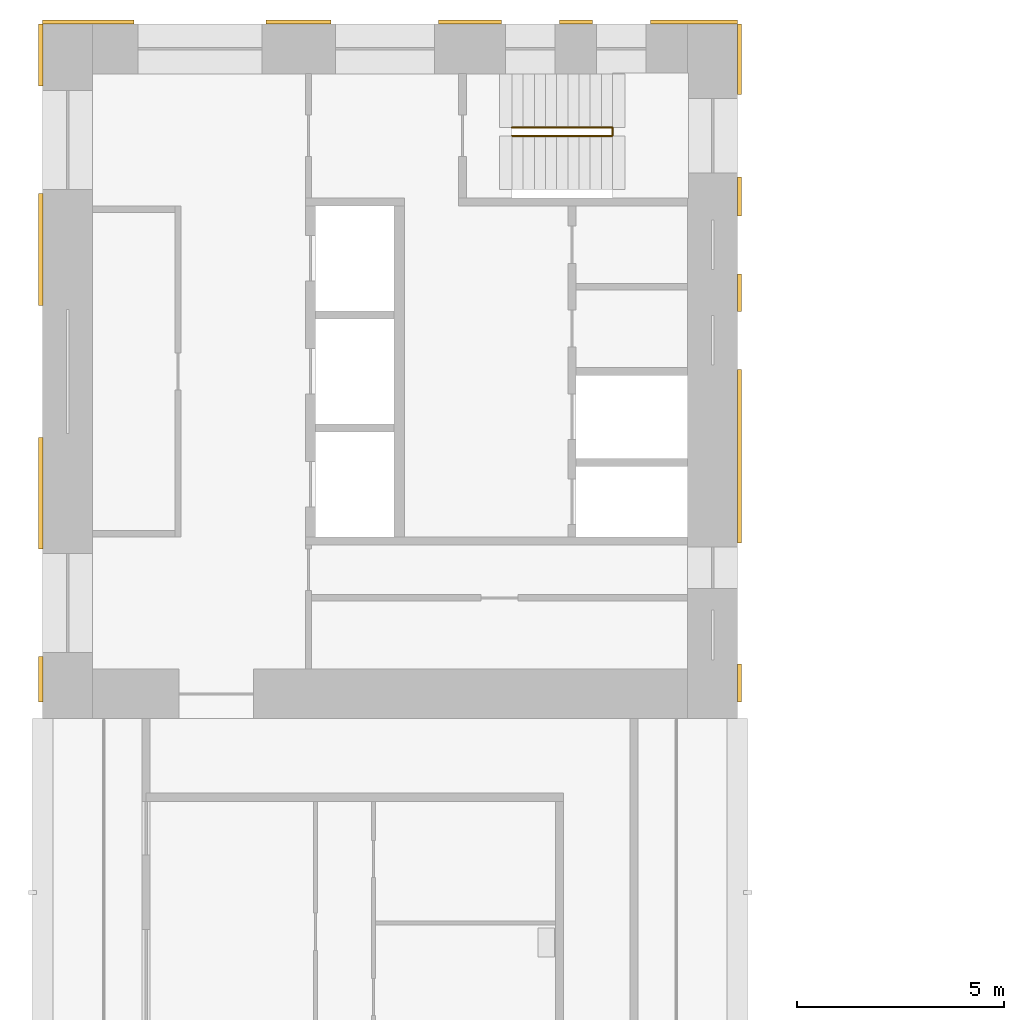
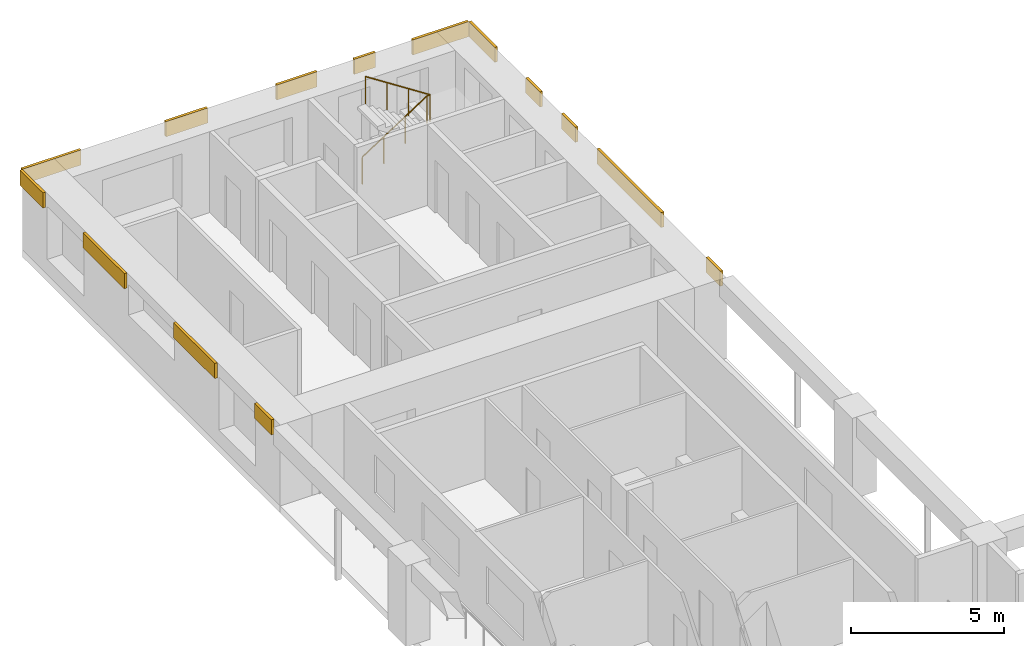
# One storey, part 9 of 10: 14 shading devices, 1 railing.
"""IFC4 building model written with IfcOpenShell, lengths in metres."""

from ifc_helpers import new_model, si_unit, direction, frame, origin, origin_2d, place, context, subcontext, project, spatial, rectangle, circle, extrude, material, layer, layer_set, type_object, element, save


model = new_model("IFC4")

# Units and contexts
model_context = context("Model", 3, precision=1e-05, world=origin(), true_north=direction((0.0, 1.0)))
body_context = subcontext(model_context, "Body", "Model", "MODEL_VIEW")
ifc_project = project(units=[si_unit("LENGTHUNIT", "METRE"), si_unit("AREAUNIT", "SQUARE_METRE"), si_unit("VOLUMEUNIT", "CUBIC_METRE"), si_unit("PLANEANGLEUNIT", "RADIAN"), si_unit("MASSUNIT", "GRAM", prefix="KILO")], contexts=[model_context])

# Site, building, storey
site_placement = place(None, origin())
site = spatial("IfcSite", under=ifc_project, at=site_placement, CompositionType="ELEMENT")
building_placement = place(site_placement, origin())
building = spatial("IfcBuilding", under=site, at=building_placement, Name="Vermilion Gate Residences", CompositionType="ELEMENT")
storey_placement = place(building_placement, frame((0.0, 0.0, 175.699951171875)))
storey = spatial("IfcBuildingStorey", under=building, at=storey_placement, Name="L45", CompositionType="ELEMENT", Elevation=175.699951171875)

# Railing
ifc_material_1 = material(Name="Steel S355", Category="steel")
railing_type = type_object("IfcRailingType", Name="STAIR GUARD 1100 STEEL", PredefinedType="GUARDRAIL", material=ifc_material_1)
railing_placement = place(storey_placement, frame((19.75, 56.300048828125, 0.175048828125)))
element("IfcRailing", 1, at=railing_placement, inside=storey, type_object=railing_type, Name="Stair well guard STB1-45", PredefinedType="GUARDRAIL", context=body_context, shape_type="SweptSolid", body=[
    extrude(circle(Radius=0.02392578125, at=origin_2d()), frame((0.0, 0.0, 1.076171875), z_axis=(0.839153699163, 0.0, 0.543894354798), x_axis=(0.0, 1.0, 0.0)), (0.0, 0.0, 1.0), 2.895751953125),
    extrude(circle(Radius=0.02392578125, at=origin_2d()), frame((2.429931640625, 0.0, 2.65087890625), z_axis=(0.0, -0.752405939678, 0.658699705433), x_axis=(1.0, 0.0, 0.0)), (0.0, 0.0, 1.0), 0.265869140625),
    extrude(circle(Radius=0.02392578125, at=origin_2d()), frame((2.429931640625, -0.199951171875, 2.826171875), z_axis=(-0.839153699163, 0.0, 0.543894354798), x_axis=(0.0, -1.0, 0.0)), (0.0, 0.0, 1.0), 2.895751953125),
    extrude(circle(Radius=0.02099609375, at=origin_2d()), origin(), (0.0, 0.0, 1.0), 1.052001953125),
    extrude(circle(Radius=0.02099609375, at=origin_2d()), frame((0.81005859375, 0.0, 0.52490234375)), (0.0, 0.0, 1.0), 1.052001953125),
    extrude(circle(Radius=0.02099609375, at=origin_2d()), frame((1.619873046875, 0.0, 1.050048828125)), (0.0, 0.0, 1.0), 1.052001953125),
    extrude(circle(Radius=0.02099609375, at=origin_2d()), frame((2.429931640625, 0.0, 1.574951171875)), (0.0, 0.0, 1.0), 1.052001953125),
    extrude(circle(Radius=0.02099609375, at=origin_2d()), frame((2.429931640625, -0.199951171875, 1.75)), (0.0, 0.0, 1.0), 1.052001953125),
    extrude(circle(Radius=0.02099609375, at=origin_2d()), frame((1.619873046875, -0.199951171875, 2.27490234375)), (0.0, 0.0, 1.0), 1.052001953125),
    extrude(circle(Radius=0.02099609375, at=origin_2d()), frame((0.81005859375, -0.199951171875, 2.800048828125)), (0.0, 0.0, 1.0), 1.052001953125),
    extrude(circle(Radius=0.02099609375, at=origin_2d()), frame((0.0, -0.199951171875, 3.324951171875)), (0.0, 0.0, 1.0), 1.052001953125),
])

# Shading devices
ifc_material_2 = material(Name="Extruded terracotta", Category="masonry")
ifc_layer = layer(ifc_material_2, 0.10009765625)
ifc_layer_set = layer_set([ifc_layer], Name="TERRACOTTA SPANDREL BAND 600 X 100")
shading_device_type = type_object("IfcShadingDeviceType", Name="TERRACOTTA SPANDREL BAND 600 X 100", PredefinedType="USERDEFINED", material=ifc_layer_set)
shading_device_1_placement = place(storey_placement, frame((9.50244140625, 58.85009765625, 2.6201171875), z_axis=(0.0, 0.0, 1.0), x_axis=(1.0, 0.0, 0.0)))
element("IfcShadingDevice", 2, at=shading_device_1_placement, inside=storey, type_object=shading_device_type, Name="SPANDREL BAND", ObjectType="BAND", PredefinedType="USERDEFINED", context=body_context, shape_type="SweptSolid", body=[
    extrude(rectangle(XDim=2.205078125, YDim=0.10009765625, at=origin_2d()), origin(), (0.0, 0.0, 1.0), 0.60009765625),
])
shading_device_2_placement = place(storey_placement, frame((14.590087890625, 58.85009765625, 2.6201171875), z_axis=(0.0, 0.0, 1.0), x_axis=(1.0, 0.0, 0.0)))
element("IfcShadingDevice", 3, at=shading_device_2_placement, inside=storey, type_object=shading_device_type, Name="SPANDREL BAND", ObjectType="BAND", PredefinedType="USERDEFINED", context=body_context, shape_type="SweptSolid", body=[
    extrude(rectangle(XDim=1.570068359375, YDim=0.10009765625, at=origin_2d()), origin(), (0.0, 0.0, 1.0), 0.60009765625),
])
shading_device_3_placement = place(storey_placement, frame((18.734130859375, 58.85009765625, 2.6201171875), z_axis=(0.0, 0.0, 1.0), x_axis=(1.0, 0.0, 0.0)))
element("IfcShadingDevice", 4, at=shading_device_3_placement, inside=storey, type_object=shading_device_type, Name="SPANDREL BAND", ObjectType="BAND", PredefinedType="USERDEFINED", context=body_context, shape_type="SweptSolid", body=[
    extrude(rectangle(XDim=1.518310546875, YDim=0.10009765625, at=origin_2d()), origin(), (0.0, 0.0, 1.0), 0.60009765625),
])
shading_device_4_placement = place(storey_placement, frame((21.294921875, 58.85009765625, 2.6201171875), z_axis=(0.0, 0.0, 1.0), x_axis=(1.0, 0.0, 0.0)))
element("IfcShadingDevice", 5, at=shading_device_4_placement, inside=storey, type_object=shading_device_type, Name="SPANDREL BAND", ObjectType="BAND", PredefinedType="USERDEFINED", context=body_context, shape_type="SweptSolid", body=[
    extrude(rectangle(XDim=0.803466796875, YDim=0.10009765625, at=origin_2d()), origin(), (0.0, 0.0, 1.0), 0.60009765625),
])
shading_device_5_placement = place(storey_placement, frame((24.1484375, 58.85009765625, 2.6201171875), z_axis=(0.0, 0.0, 1.0), x_axis=(1.0, 0.0, 0.0)))
element("IfcShadingDevice", 6, at=shading_device_5_placement, inside=storey, type_object=shading_device_type, Name="SPANDREL BAND", ObjectType="BAND", PredefinedType="USERDEFINED", context=body_context, shape_type="SweptSolid", body=[
    extrude(rectangle(XDim=2.103271484375, YDim=0.10009765625, at=origin_2d()), origin(), (0.0, 0.0, 1.0), 0.60009765625),
])
shading_device_6_placement = place(storey_placement, frame((8.35009765625, 42.949951171875, 2.6201171875), z_axis=(0.0, 0.0, 1.0), x_axis=(0.0, 1.0, 0.0)))
element("IfcShadingDevice", 7, at=shading_device_6_placement, inside=storey, type_object=shading_device_type, Name="SPANDREL BAND", ObjectType="BAND", PredefinedType="USERDEFINED", context=body_context, shape_type="SweptSolid", body=[
    extrude(rectangle(XDim=1.10009765625, YDim=0.10009765625, at=origin_2d()), origin(), (0.0, 0.0, 1.0), 0.60009765625),
])
for number, where, z_axis, x_axis, name in (
    (8, (8.35009765625, 47.449951171875, 2.6201171875), (0.0, 0.0, 1.0), (0.0, 1.0, 0.0), "SPANDREL BAND"),
    (9, (8.35009765625, 53.35009765625, 2.6201171875), (0.0, 0.0, 1.0), (0.0, 1.0, 0.0), "SPANDREL BAND"),
):
    element("IfcShadingDevice", number, at=place(storey_placement, frame(where, z_axis=z_axis, x_axis=x_axis)), inside=storey, type_object=shading_device_type, Name=name, ObjectType="BAND", PredefinedType="USERDEFINED", context=body_context, shape_type="SweptSolid", body=[
        extrude(rectangle(XDim=2.699951171875, YDim=0.10009765625, at=origin_2d()), origin(), (0.0, 0.0, 1.0), 0.60009765625),
    ])
shading_device_7_placement = place(storey_placement, frame((8.35009765625, 58.050048828125, 2.6201171875), z_axis=(0.0, 0.0, 1.0), x_axis=(0.0, 1.0, 0.0)))
element("IfcShadingDevice", 10, at=shading_device_7_placement, inside=storey, type_object=shading_device_type, Name="SPANDREL BAND", ObjectType="BAND", PredefinedType="USERDEFINED", context=body_context, shape_type="SweptSolid", body=[
    extrude(rectangle(XDim=1.5, YDim=0.10009765625, at=origin_2d()), origin(), (0.0, 0.0, 1.0), 0.60009765625),
])
shading_device_8_placement = place(storey_placement, frame((25.25, 42.862548828125, 2.6201171875), z_axis=(0.0, 0.0, 1.0), x_axis=(0.0, 1.0, 0.0)))
element("IfcShadingDevice", 11, at=shading_device_8_placement, inside=storey, type_object=shading_device_type, Name="SPANDREL BAND", ObjectType="BAND", PredefinedType="USERDEFINED", context=body_context, shape_type="SweptSolid", body=[
    extrude(rectangle(XDim=0.925048828125, YDim=0.10009765625, at=origin_2d()), origin(), (0.0, 0.0, 1.0), 0.60009765625),
])
shading_device_9_placement = place(storey_placement, frame((25.25, 48.35009765625, 2.6201171875), z_axis=(0.0, 0.0, 1.0), x_axis=(0.0, 1.0, 0.0)))
element("IfcShadingDevice", 12, at=shading_device_9_placement, inside=storey, type_object=shading_device_type, Name="SPANDREL BAND", ObjectType="BAND", PredefinedType="USERDEFINED", context=body_context, shape_type="SweptSolid", body=[
    extrude(rectangle(XDim=4.199951171875, YDim=0.10009765625, at=origin_2d()), origin(), (0.0, 0.0, 1.0), 0.60009765625),
])
shading_device_10_placement = place(storey_placement, frame((25.25, 52.30615234375, 2.6201171875), z_axis=(0.0, 0.0, 1.0), x_axis=(0.0, 1.0, 0.0)))
element("IfcShadingDevice", 13, at=shading_device_10_placement, inside=storey, type_object=shading_device_type, Name="SPANDREL BAND", ObjectType="BAND", PredefinedType="USERDEFINED", context=body_context, shape_type="SweptSolid", body=[
    extrude(rectangle(XDim=0.91259765625, YDim=0.10009765625, at=origin_2d()), origin(), (0.0, 0.0, 1.0), 0.60009765625),
])
shading_device_11_placement = place(storey_placement, frame((25.25, 54.631103515625, 2.6201171875), z_axis=(0.0, 0.0, 1.0), x_axis=(0.0, 1.0, 0.0)))
element("IfcShadingDevice", 14, at=shading_device_11_placement, inside=storey, type_object=shading_device_type, Name="SPANDREL BAND", ObjectType="BAND", PredefinedType="USERDEFINED", context=body_context, shape_type="SweptSolid", body=[
    extrude(rectangle(XDim=0.9375, YDim=0.10009765625, at=origin_2d()), origin(), (0.0, 0.0, 1.0), 0.60009765625),
])
shading_device_12_placement = place(storey_placement, frame((25.25, 57.949951171875, 2.6201171875), z_axis=(0.0, 0.0, 1.0), x_axis=(0.0, 1.0, 0.0)))
element("IfcShadingDevice", 15, at=shading_device_12_placement, inside=storey, type_object=shading_device_type, Name="SPANDREL BAND", ObjectType="BAND", PredefinedType="USERDEFINED", context=body_context, shape_type="SweptSolid", body=[
    extrude(rectangle(XDim=1.699951171875, YDim=0.10009765625, at=origin_2d()), origin(), (0.0, 0.0, 1.0), 0.60009765625),
])

save(model, "model.ifc")
